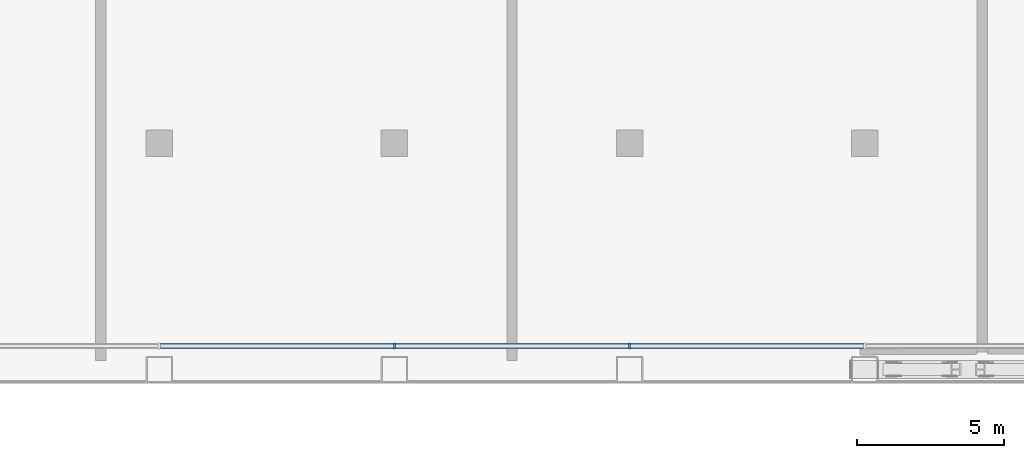
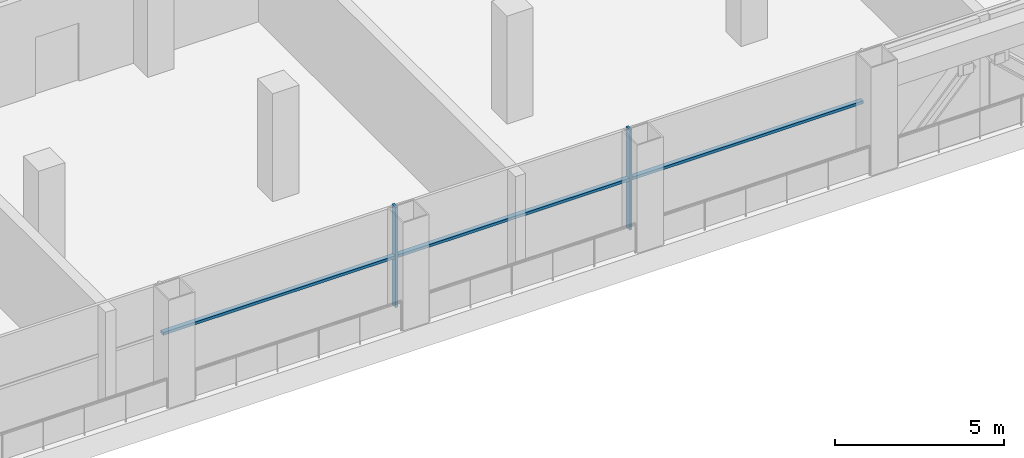
# One storey, part 3 of 19: 5 members, 1 element without a shape of its own.
"""IFC4 building model written with IfcOpenShell, lengths in metres."""

from ifc_helpers import new_model, si_unit, direction, frame, origin, origin_2d, place, context, subcontext, project, spatial, rectangle, extrude, material, material_profile, profile_set, type_object, element, aggregate, save


model = new_model("IFC4")

# Units and contexts
model_context = context("Model", 3, precision=1e-05, world=origin(), true_north=direction((0.0, 1.0)))
body_context = subcontext(model_context, "Body", "Model", "MODEL_VIEW")
ifc_project = project(units=[si_unit("LENGTHUNIT", "METRE"), si_unit("AREAUNIT", "SQUARE_METRE"), si_unit("VOLUMEUNIT", "CUBIC_METRE"), si_unit("PLANEANGLEUNIT", "RADIAN"), si_unit("MASSUNIT", "GRAM", prefix="KILO")], contexts=[model_context])

# Site, building, storey
site_placement = place(None, origin())
site = spatial("IfcSite", under=ifc_project, at=site_placement, CompositionType="ELEMENT")
building_placement = place(site_placement, origin())
building = spatial("IfcBuilding", under=site, at=building_placement, Name="Vidyagriha Tower", CompositionType="ELEMENT")
storey_placement = place(building_placement, frame((0.0, 0.0, 73.60009765625)))
storey = spatial("IfcBuildingStorey", under=building, at=storey_placement, Name="L18", CompositionType="ELEMENT", Elevation=73.60009765625)

# Curtain wall, members
ifc_material_1 = material(Name="Aluminium and glass curtain wall", Category="aluminium")
curtain_wall_type = type_object("IfcCurtainWallType", Name="Plant louvre wall", PredefinedType="USERDEFINED", material=ifc_material_1)
curtain_wall_placement = place(storey_placement, origin())
curtain_wall = element("IfcCurtainWall", 1, at=curtain_wall_placement, inside=storey, type_object=curtain_wall_type, Name="CW7 plant louvre wall", ObjectType="STICK GLAZING", PredefinedType="USERDEFINED")
ifc_material_2 = material(Name="Aluminium black anodised", Category="aluminium")
ifc_material_profile_1 = material_profile(ifc_material_2, rectangle(XDim=0.219970703125, YDim=0.080078125, at=origin_2d()), Name="Mullion 80x220 black aluminium")
ifc_profile_set_1 = profile_set([ifc_material_profile_1], Name="Aluminium black anodised")
member_type_1 = type_object("IfcMemberType", Name="Mullion 80x220 black aluminium", PredefinedType="MULLION", material=ifc_profile_set_1)
member_1_placement = place(storey_placement, frame((10.0, -16.300048828125, 0.0), z_axis=(0.0, 0.0, 1.0), x_axis=(0.0, 1.0, 0.0)))
member_1 = element("IfcMember", 2, at=member_1_placement, type_object=member_type_1, Name="CW7 mullion 6", PredefinedType="MULLION", context=body_context, shape_type="SweptSolid", body=[
    extrude(rectangle(XDim=0.219970703125, YDim=0.080078125, at=origin_2d()), origin(), (0.0, 0.0, 1.0), 3.619873046875),
])
member_2_placement = place(storey_placement, frame((18.0, -16.300048828125, 0.0), z_axis=(0.0, 0.0, 1.0), x_axis=(0.0, 1.0, 0.0)))
member_2 = element("IfcMember", 3, at=member_2_placement, type_object=member_type_1, Name="CW7 mullion 7", PredefinedType="MULLION", context=body_context, shape_type="SweptSolid", body=[
    extrude(rectangle(XDim=0.219970703125, YDim=0.080078125, at=origin_2d()), origin(), (0.0, 0.0, 1.0), 3.619873046875),
])
ifc_material_3 = material(Name="Aluminium black anodised", Category="aluminium")
ifc_material_profile_2 = material_profile(ifc_material_3, rectangle(XDim=0.159912109375, YDim=0.10009765625, at=origin_2d()), Name="Transom 100x160 black aluminium")
ifc_profile_set_2 = profile_set([ifc_material_profile_2], Name="Aluminium black anodised")
member_type_2 = type_object("IfcMemberType", Name="Transom 100x160 black aluminium", PredefinedType="USERDEFINED", material=ifc_profile_set_2)
member_3_placement = place(storey_placement, frame((2.0400390625, -16.300048828125, 1.809814453125), z_axis=(1.0, 0.0, 0.0), x_axis=(0.0, 1.0, 0.0)))
member_3 = element("IfcMember", 4, at=member_3_placement, type_object=member_type_2, Name="CW7 transom 5.1", ObjectType="TRANSOM", PredefinedType="USERDEFINED", context=body_context, shape_type="SweptSolid", body=[
    extrude(rectangle(XDim=0.159912109375, YDim=0.10009765625, at=origin_2d()), origin(), (0.0, 0.0, 1.0), 7.919921875),
])
member_4_placement = place(storey_placement, frame((10.0400390625, -16.300048828125, 1.809814453125), z_axis=(1.0, 0.0, 0.0), x_axis=(0.0, 1.0, 0.0)))
member_4 = element("IfcMember", 5, at=member_4_placement, type_object=member_type_2, Name="CW7 transom 6.1", ObjectType="TRANSOM", PredefinedType="USERDEFINED", context=body_context, shape_type="SweptSolid", body=[
    extrude(rectangle(XDim=0.159912109375, YDim=0.10009765625, at=origin_2d()), origin(), (0.0, 0.0, 1.0), 7.919921875),
])
member_5_placement = place(storey_placement, frame((18.0400390625, -16.300048828125, 1.809814453125), z_axis=(1.0, 0.0, 0.0), x_axis=(0.0, 1.0, 0.0)))
member_5 = element("IfcMember", 6, at=member_5_placement, type_object=member_type_2, Name="CW7 transom 7.1", ObjectType="TRANSOM", PredefinedType="USERDEFINED", context=body_context, shape_type="SweptSolid", body=[
    extrude(rectangle(XDim=0.159912109375, YDim=0.10009765625, at=origin_2d()), origin(), (0.0, 0.0, 1.0), 7.919921875),
])
aggregate(curtain_wall, [member_1, member_2, member_3, member_4, member_5])

save(model, "model.ifc")
